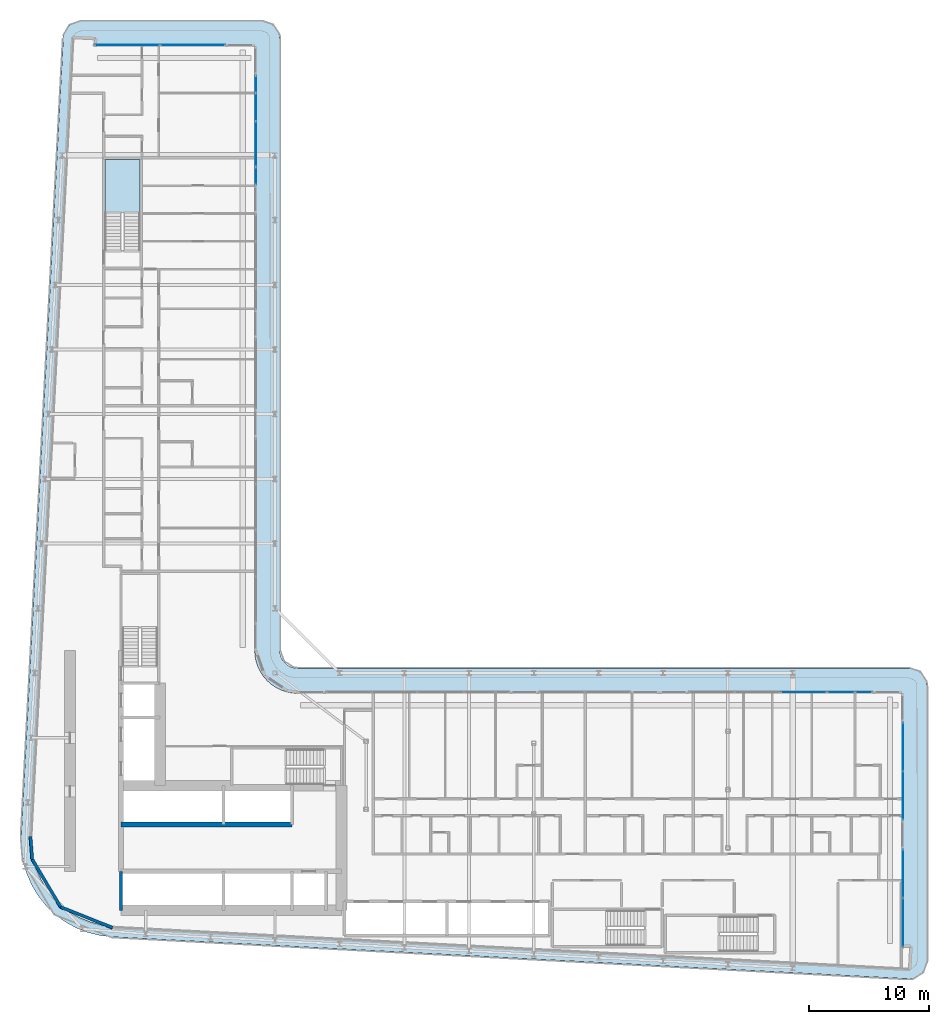
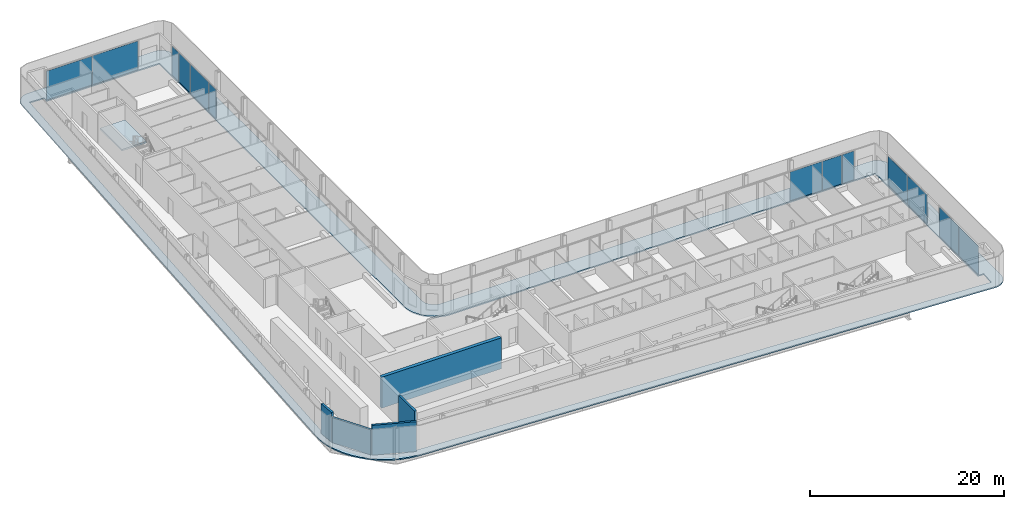
# One storey, part 12 of 28: 13 plates, 5 walls, 2 slabs, 7 elements without a shape of their own.
"""IFC4 building model written with IfcOpenShell, lengths in metres."""

from ifc_helpers import new_model, si_unit, direction, frame, frame_2d, origin, origin_2d, place, context, subcontext, project, spatial, polyline, rectangle, outline, extrude, material, layer, layer_set, type_object, element, aggregate, save


model = new_model("IFC4")

# Units and contexts
model_context = context("Model", 3, precision=1e-05, world=origin(), true_north=direction((0.0, 1.0)))
body_context = subcontext(model_context, "Body", "Model", "MODEL_VIEW")
ifc_project = project(units=[si_unit("LENGTHUNIT", "METRE"), si_unit("AREAUNIT", "SQUARE_METRE"), si_unit("VOLUMEUNIT", "CUBIC_METRE"), si_unit("PLANEANGLEUNIT", "RADIAN"), si_unit("MASSUNIT", "GRAM", prefix="KILO")], contexts=[model_context])

# Site, building, storey
site_placement = place(None, origin())
site = spatial("IfcSite", under=ifc_project, at=site_placement, CompositionType="ELEMENT")
building_placement = place(site_placement, origin())
building = spatial("IfcBuilding", under=site, at=building_placement, Name="Kheshtan School and Residences Tower", CompositionType="ELEMENT")
storey_placement = place(building_placement, frame((0.0, 0.0, 140.89990234375)))
storey = spatial("IfcBuildingStorey", under=building, at=storey_placement, Name="L33", CompositionType="ELEMENT", Elevation=140.89990234375)

# Curtain wall, plates
ifc_material_1 = material(Name="Clear low-e glass in thermally broken aluminium frame", Category="aluminium")
ifc_layer_1 = layer(ifc_material_1, 0.199951171875)
ifc_layer_set_1 = layer_set([ifc_layer_1], Name="Curtain wall CW-L")
curtain_wall_type = type_object("IfcCurtainWallType", Name="Curtain wall CW-L", PredefinedType="NOTDEFINED", material=ifc_layer_set_1)
curtain_wall_1_placement = place(storey_placement, origin())
curtain_wall_1 = element("IfcCurtainWall", 1, at=curtain_wall_1_placement, inside=storey, type_object=curtain_wall_type, Name="Curtain wall CWL7", PredefinedType="NOTDEFINED")
ifc_layer_2 = layer(ifc_material_1, 0.031982421875)
ifc_layer_set_2 = layer_set([ifc_layer_2], Name="CW-L glass panel")
plate_type = type_object("IfcPlateType", Name="CW-L glass panel", PredefinedType="CURTAIN_PANEL", material=ifc_layer_set_2)
plate_1_placement = place(storey_placement, frame((35.259033203125, 98.0, 0.000244140625), z_axis=(0.0, 0.0, 1.0), x_axis=(1.0, 0.0, 0.0)))
plate_1 = element("IfcPlate", 2, at=plate_1_placement, type_object=plate_type, Name="CWL7 panel 1.1", PredefinedType="CURTAIN_PANEL", context=body_context, shape_type="SweptSolid", body=[
    extrude(rectangle(XDim=5.4140625, YDim=0.031982421875, at=origin_2d()), origin(), (0.0, 0.0, 1.0), 3.6298828125),
])
plate_2_placement = place(storey_placement, frame((40.73291015625, 98.0, 0.000244140625), z_axis=(0.0, 0.0, 1.0), x_axis=(1.0, 0.0, 0.0)))
plate_2 = element("IfcPlate", 3, at=plate_2_placement, type_object=plate_type, Name="CWL7 panel 2.1", PredefinedType="CURTAIN_PANEL", context=body_context, shape_type="SweptSolid", body=[
    extrude(rectangle(XDim=5.4140625, YDim=0.031982421875, at=origin_2d()), origin(), (0.0, 0.0, 1.0), 3.6298828125),
])
aggregate(curtain_wall_1, [plate_1, plate_2])

curtain_wall_2_placement = place(storey_placement, origin())
curtain_wall_2 = element("IfcCurtainWall", 4, at=curtain_wall_2_placement, inside=storey, type_object=curtain_wall_type, Name="Curtain wall CWL8c", PredefinedType="NOTDEFINED")
plate_3_placement = place(storey_placement, frame((46.0, 94.735107421875, 0.000244140625), z_axis=(0.0, 0.0, 1.0), x_axis=(0.0, -1.0, 0.0)))
plate_3 = element("IfcPlate", 5, at=plate_3_placement, type_object=plate_type, Name="CWL8c panel 1.1", PredefinedType="CURTAIN_PANEL", context=body_context, shape_type="SweptSolid", body=[
    extrude(rectangle(XDim=1.409912109375, YDim=0.031982421875, at=origin_2d()), origin(), (0.0, 0.0, 1.0), 3.6298828125),
])
plate_4_placement = place(storey_placement, frame((46.0, 92.826416015625, 0.000244140625), z_axis=(0.0, 0.0, 1.0), x_axis=(0.0, -1.0, 0.0)))
plate_4 = element("IfcPlate", 6, at=plate_4_placement, type_object=plate_type, Name="CWL8c panel 2.1", PredefinedType="CURTAIN_PANEL", context=body_context, shape_type="SweptSolid", body=[
    extrude(rectangle(XDim=2.287109375, YDim=0.031982421875, at=origin_2d()), origin(), (0.0, 0.0, 1.0), 3.6298828125),
])
plate_5_placement = place(storey_placement, frame((46.0, 89.744384765625, 0.000244140625), z_axis=(0.0, 0.0, 1.0), x_axis=(0.0, -1.0, 0.0)))
plate_5 = element("IfcPlate", 7, at=plate_5_placement, type_object=plate_type, Name="CWL8c panel 3.1", PredefinedType="CURTAIN_PANEL", context=body_context, shape_type="SweptSolid", body=[
    extrude(rectangle(XDim=3.757080078125, YDim=0.031982421875, at=origin_2d()), origin(), (0.0, 0.0, 1.0), 3.6298828125),
])
aggregate(curtain_wall_2, [plate_3, plate_4, plate_5])

# Curtain wall, plate
curtain_wall_3_placement = place(storey_placement, origin())
curtain_wall_3 = element("IfcCurtainWall", 8, at=curtain_wall_3_placement, inside=storey, type_object=curtain_wall_type, Name="Curtain wall CWL8a", PredefinedType="NOTDEFINED")
plate_6_placement = place(storey_placement, frame((46.0, 87.0859375, 0.000244140625), z_axis=(0.0, 0.0, 1.0), x_axis=(0.0, -1.0, 0.0)))
plate_6 = element("IfcPlate", 9, at=plate_6_placement, type_object=plate_type, Name="CWL8a panel 1.1", PredefinedType="CURTAIN_PANEL", context=body_context, shape_type="SweptSolid", body=[
    extrude(rectangle(XDim=1.43994140625, YDim=0.031982421875, at=origin_2d()), origin(), (0.0, 0.0, 1.0), 3.6298828125),
])
aggregate(curtain_wall_3, [plate_6])

# Curtain wall, plates
curtain_wall_4_placement = place(storey_placement, origin())
curtain_wall_4 = element("IfcCurtainWall", 10, at=curtain_wall_4_placement, inside=storey, type_object=curtain_wall_type, Name="Curtain wall CWL12k", PredefinedType="NOTDEFINED")
plate_7_placement = place(storey_placement, frame((91.714599609375, 44.0, 0.000244140625), z_axis=(0.0, 0.0, 1.0), x_axis=(1.0, 0.0, 0.0)))
plate_7 = element("IfcPlate", 11, at=plate_7_placement, type_object=plate_type, Name="CWL12k panel 1.1", PredefinedType="CURTAIN_PANEL", context=body_context, shape_type="SweptSolid", body=[
    extrude(rectangle(XDim=3.81689453125, YDim=0.031982421875, at=origin_2d()), origin(), (0.0, 0.0, 1.0), 3.6298828125),
])
plate_8_placement = place(storey_placement, frame((94.826416015625, 44.0, 0.000244140625), z_axis=(0.0, 0.0, 1.0), x_axis=(1.0, 0.0, 0.0)))
plate_8 = element("IfcPlate", 12, at=plate_8_placement, type_object=plate_type, Name="CWL12k panel 2.1", PredefinedType="CURTAIN_PANEL", context=body_context, shape_type="SweptSolid", body=[
    extrude(rectangle(XDim=2.287109375, YDim=0.031982421875, at=origin_2d()), origin(), (0.0, 0.0, 1.0), 3.6298828125),
])
plate_9_placement = place(storey_placement, frame((96.735107421875, 44.0, 0.000244140625), z_axis=(0.0, 0.0, 1.0), x_axis=(1.0, 0.0, 0.0)))
plate_9 = element("IfcPlate", 13, at=plate_9_placement, type_object=plate_type, Name="CWL12k panel 3.1", PredefinedType="CURTAIN_PANEL", context=body_context, shape_type="SweptSolid", body=[
    extrude(rectangle(XDim=1.409912109375, YDim=0.031982421875, at=origin_2d()), origin(), (0.0, 0.0, 1.0), 3.6298828125),
])
aggregate(curtain_wall_4, [plate_7, plate_8, plate_9])

curtain_wall_5_placement = place(storey_placement, origin())
curtain_wall_5 = element("IfcCurtainWall", 14, at=curtain_wall_5_placement, inside=storey, type_object=curtain_wall_type, Name="Curtain wall CWL13b", PredefinedType="NOTDEFINED")
plate_10_placement = place(storey_placement, frame((100.0, 39.436767578125, 0.000244140625), z_axis=(0.0, 0.0, 1.0), x_axis=(0.0, -1.0, 0.0)))
plate_10 = element("IfcPlate", 15, at=plate_10_placement, type_object=plate_type, Name="CWL13b panel 1.1", PredefinedType="CURTAIN_PANEL", context=body_context, shape_type="SweptSolid", body=[
    extrude(rectangle(XDim=4.006591796875, YDim=0.031982421875, at=origin_2d()), origin(), (0.0, 0.0, 1.0), 3.6298828125),
])
plate_11_placement = place(storey_placement, frame((100.0, 35.370361328125, 0.000244140625), z_axis=(0.0, 0.0, 1.0), x_axis=(0.0, -1.0, 0.0)))
plate_11 = element("IfcPlate", 16, at=plate_11_placement, type_object=plate_type, Name="CWL13b panel 2.1", PredefinedType="CURTAIN_PANEL", context=body_context, shape_type="SweptSolid", body=[
    extrude(rectangle(XDim=4.006591796875, YDim=0.031982421875, at=origin_2d()), origin(), (0.0, 0.0, 1.0), 3.6298828125),
])
aggregate(curtain_wall_5, [plate_10, plate_11])

curtain_wall_6_placement = place(storey_placement, origin())
curtain_wall_6 = element("IfcCurtainWall", 17, at=curtain_wall_6_placement, inside=storey, type_object=curtain_wall_type, Name="Curtain wall CWL13b", PredefinedType="NOTDEFINED")
plate_12_placement = place(storey_placement, frame((100.0, 28.84375, 0.000244140625), z_axis=(0.0, 0.0, 1.0), x_axis=(0.0, -1.0, 0.0)))
plate_12 = element("IfcPlate", 18, at=plate_12_placement, type_object=plate_type, Name="CWL13b panel 1.1", PredefinedType="CURTAIN_PANEL", context=body_context, shape_type="SweptSolid", body=[
    extrude(rectangle(XDim=4.006591796875, YDim=0.031982421875, at=origin_2d()), origin(), (0.0, 0.0, 1.0), 3.6298828125),
])
plate_13_placement = place(storey_placement, frame((100.0, 24.77734375, 0.000244140625), z_axis=(0.0, 0.0, 1.0), x_axis=(0.0, -1.0, 0.0)))
plate_13 = element("IfcPlate", 19, at=plate_13_placement, type_object=plate_type, Name="CWL13b panel 2.1", PredefinedType="CURTAIN_PANEL", context=body_context, shape_type="SweptSolid", body=[
    extrude(rectangle(XDim=4.006591796875, YDim=0.031982421875, at=origin_2d()), origin(), (0.0, 0.0, 1.0), 3.6298828125),
])
aggregate(curtain_wall_6, [plate_12, plate_13])

# Slab
ifc_material_2 = material(Name="Concrete C40/50", Category="concrete")
ifc_layer_3 = layer(ifc_material_2, 0.14990234375)
ifc_layer_set_3 = layer_set([ifc_layer_3], Name="Loggia balcony slab 150 Concrete C40/50")
slab_type_1 = type_object("IfcSlabType", Name="Loggia balcony slab 150 Concrete C40/50", PredefinedType="FLOOR", material=ifc_layer_set_3)
slab_1_placement = place(storey_placement, frame((0.0, 0.0, -0.14990234375)))
element("IfcSlab", 20, at=slab_1_placement, inside=storey, type_object=slab_type_1, Name="Loggia balcony slab L33", PredefinedType="FLOOR", context=body_context, shape_type="SweptSolid", body=[
    extrude(outline(polyline([(28.4580078125, 26.222900390625), (28.45703125, 26.222900390625), (28.45703125, 26.22412109375), (28.4560546875, 26.22412109375), (27.81494140625, 27.0390625), (27.281005859375, 27.93798828125), (26.867919921875, 28.89990234375), (26.583984375, 29.89990234375), (26.583984375, 29.906982421875), (26.43408203125, 30.943115234375), (26.419921875, 31.989013671875), (29.925048828125, 98.5791015625), (29.930908203125, 98.626953125), (29.930908203125, 98.6279296875), (29.929931640625, 98.6279296875), (29.929931640625, 98.62890625), (29.928955078125, 98.62890625), (29.928955078125, 98.6298828125), (29.927978515625, 98.6298828125), (29.927978515625, 98.631103515625), (29.927001953125, 98.631103515625), (29.927001953125, 98.632080078125), (29.927001953125, 98.633056640625), (29.945068359375, 98.781005859375), (29.945068359375, 98.783935546875), (29.945068359375, 98.784912109375), (29.946044921875, 98.784912109375), (29.946044921875, 98.785888671875), (29.947021484375, 98.785888671875), (29.947021484375, 98.787109375), (29.947998046875, 98.787109375), (29.948974609375, 98.787109375), (29.948974609375, 98.7880859375), (29.949951171875, 98.7880859375), (29.949951171875, 98.7890625), (29.949951171875, 98.791015625), (30.0029296875, 98.98388671875), (30.083984375, 99.175048828125), (30.18896484375, 99.35302734375), (30.31103515625, 99.507080078125), (30.31201171875, 99.507080078125), (30.31201171875, 99.508056640625), (30.31298828125, 99.508056640625), (30.31298828125, 99.509033203125), (30.31396484375, 99.509033203125), (30.31396484375, 99.510009765625), (30.31494140625, 99.510009765625), (30.31494140625, 99.510986328125), (30.31591796875, 99.510986328125), (30.31591796875, 99.511962890625), (30.31689453125, 99.511962890625), (30.31689453125, 99.512939453125), (30.318115234375, 99.512939453125), (30.320068359375, 99.512939453125), (30.321044921875, 99.512939453125), (30.321044921875, 99.513916015625), (30.468017578125, 99.656982421875), (30.468994140625, 99.656982421875), (30.468994140625, 99.657958984375), (30.469970703125, 99.657958984375), (30.469970703125, 99.658935546875), (30.470947265625, 99.658935546875), (30.470947265625, 99.659912109375), (30.471923828125, 99.659912109375), (30.471923828125, 99.660888671875), (30.472900390625, 99.660888671875), (30.472900390625, 99.662109375), (30.47412109375, 99.662109375), (30.47412109375, 99.6630859375), (30.47509765625, 99.6630859375), (30.47509765625, 99.6640625), (30.635986328125, 99.777099609375), (30.820068359375, 99.873046875), (31.007080078125, 99.943115234375), (31.013916015625, 99.943115234375), (31.217041015625, 99.986083984375), (31.423095703125, 100.0), (46.5, 100.0), (46.696044921875, 99.987060546875), (46.887939453125, 99.948974609375), (46.89501953125, 99.948974609375), (47.073974609375, 99.885986328125), (47.243896484375, 99.801025390625), (47.2451171875, 99.801025390625), (47.2470703125, 99.801025390625), (47.248046875, 99.801025390625), (47.248046875, 99.802001953125), (47.2490234375, 99.802001953125), (47.2490234375, 99.802978515625), (47.25, 99.802978515625), (47.2529296875, 99.802978515625), (47.25390625, 99.802978515625), (47.25390625, 99.802001953125), (47.2548828125, 99.802001953125), (47.2548828125, 99.801025390625), (47.256103515625, 99.801025390625), (47.256103515625, 99.800048828125), (47.257080078125, 99.800048828125), (47.257080078125, 99.799072265625), (47.258056640625, 99.799072265625), (47.258056640625, 99.798095703125), (47.412109375, 99.696044921875), (47.4130859375, 99.696044921875), (47.4130859375, 99.695068359375), (47.4140625, 99.695068359375), (47.4140625, 99.694091796875), (47.4140625, 99.68994140625), (47.4140625, 99.68896484375), (47.4150390625, 99.68896484375), (47.4150390625, 99.68798828125), (47.416015625, 99.68798828125), (47.416015625, 99.68701171875), (47.4169921875, 99.68701171875), (47.4169921875, 99.68603515625), (47.554931640625, 99.568115234375), (47.554931640625, 99.56689453125), (47.555908203125, 99.56689453125), (47.555908203125, 99.56591796875), (47.556884765625, 99.56591796875), (47.556884765625, 99.56494140625), (47.55810546875, 99.56494140625), (47.55810546875, 99.56396484375), (47.55908203125, 99.56396484375), (47.55908203125, 99.56298828125), (47.56005859375, 99.56298828125), (47.56005859375, 99.56201171875), (47.56103515625, 99.56201171875), (47.56201171875, 99.56103515625), (47.56201171875, 99.56005859375), (47.56298828125, 99.56005859375), (47.56298828125, 99.55908203125), (47.56396484375, 99.55908203125), (47.56396484375, 99.55810546875), (47.56494140625, 99.55810546875), (47.56494140625, 99.556884765625), (47.56591796875, 99.556884765625), (47.56591796875, 99.555908203125), (47.56689453125, 99.555908203125), (47.56689453125, 99.554931640625), (47.568115234375, 99.554931640625), (47.68505859375, 99.41796875), (47.68603515625, 99.41796875), (47.68603515625, 99.4169921875), (47.68701171875, 99.4169921875), (47.68701171875, 99.416015625), (47.68798828125, 99.416015625), (47.68798828125, 99.4150390625), (47.68896484375, 99.4150390625), (47.68896484375, 99.4140625), (47.68994140625, 99.4140625), (47.694091796875, 99.4140625), (47.695068359375, 99.4140625), (47.695068359375, 99.4130859375), (47.696044921875, 99.4130859375), (47.696044921875, 99.412109375), (47.797119140625, 99.259033203125), (47.798095703125, 99.259033203125), (47.798095703125, 99.258056640625), (47.799072265625, 99.258056640625), (47.799072265625, 99.257080078125), (47.800048828125, 99.257080078125), (47.800048828125, 99.256103515625), (47.801025390625, 99.256103515625), (47.801025390625, 99.2548828125), (47.802001953125, 99.2548828125), (47.802001953125, 99.25390625), (47.802978515625, 99.25390625), (47.802978515625, 99.2529296875), (47.802978515625, 99.25), (47.802978515625, 99.2490234375), (47.802001953125, 99.2490234375), (47.802001953125, 99.248046875), (47.801025390625, 99.248046875), (47.801025390625, 99.2470703125), (47.801025390625, 99.243896484375), (47.801025390625, 99.242919921875), (47.885986328125, 99.073974609375), (47.948974609375, 98.89501953125), (47.948974609375, 98.887939453125), (47.987060546875, 98.696044921875), (48.0, 98.5), (48.0, 47.5), (48.012939453125, 47.303955078125), (48.051025390625, 47.113037109375), (48.051025390625, 47.10693359375), (48.051025390625, 47.10595703125), (48.114013671875, 46.926025390625), (48.200927734375, 46.75), (48.31005859375, 46.5869140625), (48.431884765625, 46.444091796875), (48.43310546875, 46.444091796875), (48.43310546875, 46.443115234375), (48.43408203125, 46.443115234375), (48.43408203125, 46.44189453125), (48.43505859375, 46.44189453125), (48.43505859375, 46.44091796875), (48.43603515625, 46.44091796875), (48.43603515625, 46.43994140625), (48.43701171875, 46.43994140625), (48.43701171875, 46.43896484375), (48.43798828125, 46.43896484375), (48.43896484375, 46.43798828125), (48.43896484375, 46.43701171875), (48.43994140625, 46.43701171875), (48.43994140625, 46.43603515625), (48.44091796875, 46.43603515625), (48.44091796875, 46.43505859375), (48.44189453125, 46.43505859375), (48.44189453125, 46.43408203125), (48.443115234375, 46.43408203125), (48.443115234375, 46.43310546875), (48.444091796875, 46.43310546875), (48.444091796875, 46.431884765625), (48.5869140625, 46.31005859375), (48.75, 46.200927734375), (48.926025390625, 46.114013671875), (49.10595703125, 46.051025390625), (49.10693359375, 46.051025390625), (49.113037109375, 46.051025390625), (49.303955078125, 46.012939453125), (49.5, 46.0), (100.5, 46.0), (100.696044921875, 45.987060546875), (100.887939453125, 45.948974609375), (100.89501953125, 45.948974609375), (101.073974609375, 45.885986328125), (101.241943359375, 45.801025390625), (101.242919921875, 45.801025390625), (101.2470703125, 45.801025390625), (101.248046875, 45.801025390625), (101.248046875, 45.802001953125), (101.2490234375, 45.802001953125), (101.2490234375, 45.802978515625), (101.25, 45.802978515625), (101.2529296875, 45.802978515625), (101.25390625, 45.802978515625), (101.25390625, 45.802001953125), (101.2548828125, 45.802001953125), (101.2548828125, 45.801025390625), (101.256103515625, 45.801025390625), (101.256103515625, 45.800048828125), (101.257080078125, 45.800048828125), (101.257080078125, 45.799072265625), (101.258056640625, 45.799072265625), (101.258056640625, 45.798095703125), (101.259033203125, 45.798095703125), (101.259033203125, 45.797119140625), (101.260009765625, 45.797119140625), (101.260009765625, 45.7958984375), (101.412109375, 45.696044921875), (101.4130859375, 45.696044921875), (101.4130859375, 45.695068359375), (101.4140625, 45.695068359375), (101.4140625, 45.694091796875), (101.4140625, 45.68994140625), (101.4140625, 45.68896484375), (101.4150390625, 45.68896484375), (101.4150390625, 45.68798828125), (101.416015625, 45.68798828125), (101.416015625, 45.68701171875), (101.4169921875, 45.68701171875), (101.4169921875, 45.68603515625), (101.41796875, 45.68603515625), (101.41796875, 45.68505859375), (101.4189453125, 45.68505859375), (101.4189453125, 45.68408203125), (101.554931640625, 45.568115234375), (101.554931640625, 45.56689453125), (101.555908203125, 45.56689453125), (101.555908203125, 45.56591796875), (101.556884765625, 45.56591796875), (101.556884765625, 45.56494140625), (101.55810546875, 45.56494140625), (101.55810546875, 45.56396484375), (101.55908203125, 45.56396484375), (101.55908203125, 45.56298828125), (101.56005859375, 45.56298828125), (101.56005859375, 45.56201171875), (101.56103515625, 45.56201171875), (101.56201171875, 45.56103515625), (101.56201171875, 45.56005859375), (101.56298828125, 45.56005859375), (101.56298828125, 45.55908203125), (101.56396484375, 45.55908203125), (101.56396484375, 45.55810546875), (101.56494140625, 45.55810546875), (101.56494140625, 45.556884765625), (101.56591796875, 45.556884765625), (101.56591796875, 45.555908203125), (101.56689453125, 45.555908203125), (101.56689453125, 45.554931640625), (101.568115234375, 45.554931640625), (101.681884765625, 45.4208984375), (101.68310546875, 45.4208984375), (101.68310546875, 45.419921875), (101.68408203125, 45.419921875), (101.68408203125, 45.4189453125), (101.68505859375, 45.4189453125), (101.68505859375, 45.41796875), (101.68603515625, 45.41796875), (101.68603515625, 45.4169921875), (101.68701171875, 45.4169921875), (101.68701171875, 45.416015625), (101.68798828125, 45.416015625), (101.68798828125, 45.4150390625), (101.68896484375, 45.4150390625), (101.68896484375, 45.4140625), (101.68994140625, 45.4140625), (101.694091796875, 45.4140625), (101.695068359375, 45.4140625), (101.695068359375, 45.4130859375), (101.696044921875, 45.4130859375), (101.696044921875, 45.412109375), (101.7939453125, 45.261962890625), (101.794921875, 45.261962890625), (101.794921875, 45.260986328125), (101.7958984375, 45.260986328125), (101.7958984375, 45.260009765625), (101.797119140625, 45.260009765625), (101.797119140625, 45.259033203125), (101.798095703125, 45.259033203125), (101.798095703125, 45.258056640625), (101.799072265625, 45.258056640625), (101.799072265625, 45.257080078125), (101.800048828125, 45.257080078125), (101.800048828125, 45.256103515625), (101.801025390625, 45.256103515625), (101.801025390625, 45.2548828125), (101.802001953125, 45.2548828125), (101.802001953125, 45.25390625), (101.802978515625, 45.25390625), (101.802978515625, 45.2529296875), (101.802978515625, 45.25), (101.802978515625, 45.2490234375), (101.802001953125, 45.2490234375), (101.802001953125, 45.248046875), (101.801025390625, 45.248046875), (101.801025390625, 45.2470703125), (101.801025390625, 45.240966796875), (101.801025390625, 45.239990234375), (101.885986328125, 45.073974609375), (101.948974609375, 44.89501953125), (101.948974609375, 44.887939453125), (101.987060546875, 44.696044921875), (102.0, 44.5), (102.0, 21.5810546875), (101.986083984375, 21.37890625), (101.945068359375, 21.179931640625), (101.945068359375, 21.173095703125), (101.8779296875, 20.989013671875), (101.785888671875, 20.80810546875), (101.6708984375, 20.64306640625), (101.6708984375, 20.64208984375), (101.6708984375, 20.64111328125), (101.6708984375, 20.639892578125), (101.672119140625, 20.639892578125), (101.672119140625, 20.638916015625), (101.672119140625, 20.636962890625), (101.672119140625, 20.635986328125), (101.6708984375, 20.635986328125), (101.6708984375, 20.635009765625), (101.5380859375, 20.491943359375), (101.534912109375, 20.489013671875), (101.533935546875, 20.489013671875), (101.533935546875, 20.488037109375), (101.532958984375, 20.488037109375), (101.531005859375, 20.488037109375), (101.530029296875, 20.488037109375), (101.530029296875, 20.489013671875), (101.529052734375, 20.489013671875), (101.528076171875, 20.489013671875), (101.527099609375, 20.489013671875), (101.3759765625, 20.364013671875), (101.2041015625, 20.256103515625), (101.01904296875, 20.174072265625), (100.8310546875, 20.116943359375), (100.823974609375, 20.116943359375), (100.6240234375, 20.0859375), (100.4208984375, 20.0830078125), (33.989013671875, 23.580078125), (33.94189453125, 23.5859375), (33.94091796875, 23.5859375), (33.93994140625, 23.5859375), (33.93994140625, 23.5849609375), (33.93896484375, 23.5849609375), (33.93896484375, 23.583984375), (33.93798828125, 23.583984375), (33.93798828125, 23.5830078125), (33.93701171875, 23.5830078125), (33.93701171875, 23.58203125), (33.93603515625, 23.58203125), (33.93505859375, 23.58203125), (32.952880859375, 23.697998046875), (32.949951171875, 23.697998046875), (32.948974609375, 23.697998046875), (32.948974609375, 23.698974609375), (32.947998046875, 23.698974609375), (32.947998046875, 23.699951171875), (32.947021484375, 23.699951171875), (32.947021484375, 23.700927734375), (32.947021484375, 23.702880859375), (32.947021484375, 23.7041015625), (32.946044921875, 23.7041015625), (32.946044921875, 23.705078125), (32.945068359375, 23.705078125), (32.944091796875, 23.705078125), (31.93603515625, 23.9609375), (31.928955078125, 23.9609375), (30.964111328125, 24.34912109375), (30.051025390625, 24.860107421875), (29.218994140625, 25.47900390625), (29.218994140625, 25.47998046875), (29.218017578125, 25.47998046875), (29.218017578125, 25.48095703125), (29.217041015625, 25.48095703125), (29.217041015625, 25.48193359375), (29.216064453125, 25.48193359375), (29.216064453125, 25.48291015625), (29.215087890625, 25.48291015625), (29.215087890625, 25.48388671875), (29.214111328125, 25.48388671875), (29.214111328125, 25.485107421875), (29.212890625, 25.485107421875), (29.212890625, 25.486083984375), (29.2119140625, 25.486083984375), (28.466064453125, 26.217041015625), (28.466064453125, 26.218017578125), (28.465087890625, 26.218017578125), (28.462890625, 26.218017578125), (28.4619140625, 26.218017578125), (28.4619140625, 26.218994140625), (28.4609375, 26.218994140625), (28.4609375, 26.219970703125), (28.4599609375, 26.219970703125), (28.4599609375, 26.220947265625), (28.458984375, 26.220947265625), (28.458984375, 26.221923828125), (28.4580078125, 26.221923828125), (28.4580078125, 26.222900390625)]), holes=[polyline([(29.12890625, 26.824951171875), (29.12890625, 26.823974609375), (29.1298828125, 26.823974609375), (29.1298828125, 26.822998046875), (29.131103515625, 26.822998046875), (29.131103515625, 26.822021484375), (29.132080078125, 26.822021484375), (29.132080078125, 26.821044921875), (29.133056640625, 26.821044921875), (29.133056640625, 26.820068359375), (29.134033203125, 26.820068359375), (29.7958984375, 26.173095703125), (29.7958984375, 26.172119140625), (29.797119140625, 26.172119140625), (29.798095703125, 26.172119140625), (29.799072265625, 26.172119140625), (29.799072265625, 26.1708984375), (29.800048828125, 26.1708984375), (29.800048828125, 26.169921875), (29.801025390625, 26.169921875), (29.801025390625, 26.1689453125), (29.802001953125, 26.1689453125), (29.802001953125, 26.16796875), (29.802978515625, 26.16796875), (29.802978515625, 26.1669921875), (29.803955078125, 26.1669921875), (29.803955078125, 26.166015625), (30.541015625, 25.616943359375), (31.35205078125, 25.1630859375), (32.208984375, 24.819091796875), (32.2099609375, 24.819091796875), (32.216064453125, 24.819091796875), (33.114990234375, 24.590087890625), (34.06591796875, 24.47705078125), (100.43798828125, 20.98291015625), (100.465087890625, 20.98388671875), (100.466064453125, 20.98388671875), (100.467041015625, 20.98388671875), (100.467041015625, 20.985107421875), (100.468017578125, 20.985107421875), (100.468017578125, 20.986083984375), (100.468017578125, 20.987060546875), (100.55810546875, 22.676025390625), (100.55810546875, 22.677001953125), (100.55810546875, 22.677978515625), (100.556884765625, 22.677978515625), (100.556884765625, 22.678955078125), (100.555908203125, 22.678955078125), (100.554931640625, 22.678955078125), (99.90087890625, 22.714111328125), (99.89990234375, 22.714111328125), (99.89990234375, 22.715087890625), (99.89990234375, 43.89794921875), (99.89990234375, 43.89892578125), (99.89892578125, 43.89892578125), (99.89892578125, 43.89990234375), (99.89794921875, 43.89990234375), (49.429931640625, 43.89990234375), (49.030029296875, 43.927001953125), (48.569091796875, 44.01806640625), (48.56201171875, 44.01806640625), (48.1201171875, 44.169921875), (47.697021484375, 44.37890625), (47.30810546875, 44.638916015625), (46.95703125, 44.944091796875), (46.95703125, 44.945068359375), (46.9560546875, 44.945068359375), (46.9560546875, 44.946044921875), (46.955078125, 44.946044921875), (46.955078125, 44.947021484375), (46.9541015625, 44.947021484375), (46.9541015625, 44.947998046875), (46.952880859375, 44.947998046875), (46.952880859375, 44.948974609375), (46.951904296875, 44.948974609375), (46.951904296875, 44.949951171875), (46.951904296875, 44.950927734375), (46.950927734375, 44.950927734375), (46.950927734375, 44.951904296875), (46.949951171875, 44.951904296875), (46.948974609375, 44.951904296875), (46.948974609375, 44.952880859375), (46.947998046875, 44.952880859375), (46.947998046875, 44.9541015625), (46.947021484375, 44.9541015625), (46.947021484375, 44.955078125), (46.946044921875, 44.955078125), (46.946044921875, 44.9560546875), (46.945068359375, 44.9560546875), (46.945068359375, 44.95703125), (46.944091796875, 44.95703125), (46.638916015625, 45.30810546875), (46.37890625, 45.697021484375), (46.169921875, 46.1201171875), (46.01806640625, 46.56201171875), (46.01806640625, 46.569091796875), (45.927001953125, 47.030029296875), (45.89990234375, 47.429931640625), (45.89990234375, 97.89794921875), (45.89990234375, 97.89892578125), (45.89892578125, 97.89892578125), (45.89892578125, 97.89990234375), (45.89794921875, 97.89990234375), (32.492919921875, 97.89990234375), (32.491943359375, 97.89990234375), (32.52099609375, 98.43896484375), (32.52099609375, 98.43994140625), (32.52099609375, 98.44091796875), (32.52001953125, 98.44091796875), (32.52001953125, 98.44189453125), (32.51904296875, 98.44189453125), (32.51806640625, 98.44189453125), (30.8291015625, 98.531982421875), (30.827880859375, 98.531982421875), (30.826904296875, 98.531982421875), (30.826904296875, 98.531005859375), (30.825927734375, 98.531005859375), (30.825927734375, 98.530029296875), (30.825927734375, 98.529052734375), (30.822021484375, 98.5009765625), (27.320068359375, 31.970947265625), (27.3330078125, 31.013916015625), (27.466064453125, 30.093994140625), (27.466064453125, 30.087890625), (27.466064453125, 30.0869140625), (27.718017578125, 29.200927734375), (28.0849609375, 28.345947265625), (28.55908203125, 27.550048828125), (29.126953125, 26.825927734375), (29.1279296875, 26.825927734375), (29.1279296875, 26.824951171875), (29.12890625, 26.824951171875)])]), origin(), (0.0, 0.0, 1.0), 0.14990234375),
])

# Stair, slab
stair_type = type_object("IfcStairType", Name="Exit stair, half-turn", PredefinedType="HALF_TURN_STAIR", material=ifc_material_2)
stair_placement = place(storey_placement, origin())
stair = element("IfcStair", 21, at=stair_placement, inside=storey, type_object=stair_type, Name="L33 Protected Exit Stair ST3", PredefinedType="HALF_TURN_STAIR")
ifc_layer_4 = layer(ifc_material_2, 0.199951171875)
ifc_layer_set_4 = layer_set([ifc_layer_4], Name="Stair landing 200 Concrete C40/50")
slab_type_2 = type_object("IfcSlabType", Name="Stair landing 200 Concrete C40/50", PredefinedType="LANDING", material=ifc_layer_set_4)
slab_2_placement = place(storey_placement, frame((0.0, 0.0, 1.75)))
slab_2 = element("IfcSlab", 22, at=slab_2_placement, type_object=slab_type_2, Name="ST3 landing 1", PredefinedType="LANDING", context=body_context, shape_type="SweptSolid", body=[
    extrude(outline(polyline([(36.35009765625, 83.97998046875), (36.35009765625, 88.4599609375), (33.39990234375, 88.4599609375), (33.39990234375, 83.97998046875), (36.35009765625, 83.97998046875)])), origin(), (0.0, 0.0, 1.0), 0.2001953125),
])
aggregate(stair, [slab_2])

# Walls
ifc_material_3 = material(Name="Concrete C50/60", Category="concrete")
ifc_layer_5 = layer(ifc_material_3, 0.39990234375)
ifc_layer_set_5 = layer_set([ifc_layer_5], Name="Core wall 400 Concrete C50/60")
wall_type_1 = type_object("IfcWallType", Name="Core wall 400 Concrete C50/60", PredefinedType="SHEAR", material=ifc_layer_set_5)
wall_1_placement = place(storey_placement, frame((34.75, 32.949951171875, 0.0), z_axis=(0.0, 0.0, 1.0), x_axis=(1.0, 0.0, 0.0)))
element("IfcWall", 23, at=wall_1_placement, inside=storey, type_object=wall_type_1, Name="Core wall CW-HALL-S2", PredefinedType="SHEAR", context=body_context, shape_type="SweptSolid", body=[
    extrude(rectangle(XDim=14.25, YDim=0.39990234375, at=frame_2d((7.125, 0.0))), origin(), (0.0, 0.0, 1.0), 3.900146484375),
])
ifc_material_4 = material(Name="Concrete C40/50 with ceramic cladding and mineral wool insulation", Category="concrete")
ifc_layer_6 = layer(ifc_material_4, 0.25)
ifc_layer_set_6 = layer_set([ifc_layer_6], Name="External wall 250 ceramic clad")
wall_type_2 = type_object("IfcWallType", Name="External wall 250 ceramic clad", PredefinedType="SOLIDWALL", material=ifc_layer_set_6)
wall_2_placement = place(storey_placement, frame((34.0390625, 24.35302734375, 0.0), z_axis=(0.0, 0.0, 1.0), x_axis=(-0.929352825399, 0.369192803184, 0.0)))
element("IfcWall", 24, at=wall_2_placement, inside=storey, type_object=wall_type_2, Name="External wall L33 1", PredefinedType="SOLIDWALL", context=body_context, shape_type="SweptSolid", body=[
    extrude(rectangle(XDim=4.656005859375, YDim=0.25, at=frame_2d((2.328125, 0.0))), origin(), (0.0, 0.0, 1.0), 3.75),
])
wall_3_placement = place(storey_placement, frame((29.7119140625, 26.072021484375, 0.0), z_axis=(0.0, 0.0, 1.0), x_axis=(-0.511028049012, 0.859564036662, 0.0)))
element("IfcWall", 25, at=wall_3_placement, inside=storey, type_object=wall_type_2, Name="External wall L33 2", PredefinedType="SOLIDWALL", context=body_context, shape_type="SweptSolid", body=[
    extrude(rectangle(XDim=4.633544921875, YDim=0.25, at=frame_2d((2.31689453125, 0.0))), origin(), (0.0, 0.0, 1.0), 3.147216796875),
])
wall_4_placement = place(storey_placement, frame((27.343994140625, 30.054931640625, 0.0), z_axis=(0.0, 0.0, 1.0), x_axis=(-0.077571675317, 0.99698677784, 0.0)))
element("IfcWall", 26, at=wall_4_placement, inside=storey, type_object=wall_type_2, Name="External wall L33 3", PredefinedType="SOLIDWALL", context=body_context, shape_type="SweptSolid", body=[
    extrude(rectangle(XDim=1.919921875, YDim=0.25, at=frame_2d((0.9599609375, 0.0))), origin(), (0.0, 0.0, 1.0), 3.75),
])
ifc_material_5 = material(Name="Fire-board shaft wall system")
ifc_layer_7 = layer(ifc_material_5, 0.25)
ifc_layer_set_7 = layer_set([ifc_layer_7], Name="Shaft lining wall 250")
wall_type_3 = type_object("IfcWallType", Name="Shaft lining wall 250", PredefinedType="PARTITIONING", material=ifc_layer_set_7)
wall_5_placement = place(storey_placement, frame((34.75, 25.800048828125, 0.0), z_axis=(0.0, 0.0, 1.0), x_axis=(0.0, 1.0, 0.0)))
element("IfcWall", 27, at=wall_5_placement, inside=storey, type_object=wall_type_3, Name="Shaft lining wall", PredefinedType="PARTITIONING", context=body_context, shape_type="SweptSolid", body=[
    extrude(rectangle(XDim=3.25, YDim=0.25, at=frame_2d((1.625, 0.0))), origin(), (0.0, 0.0, 1.0), 3.900146484375),
])

save(model, "model.ifc")
